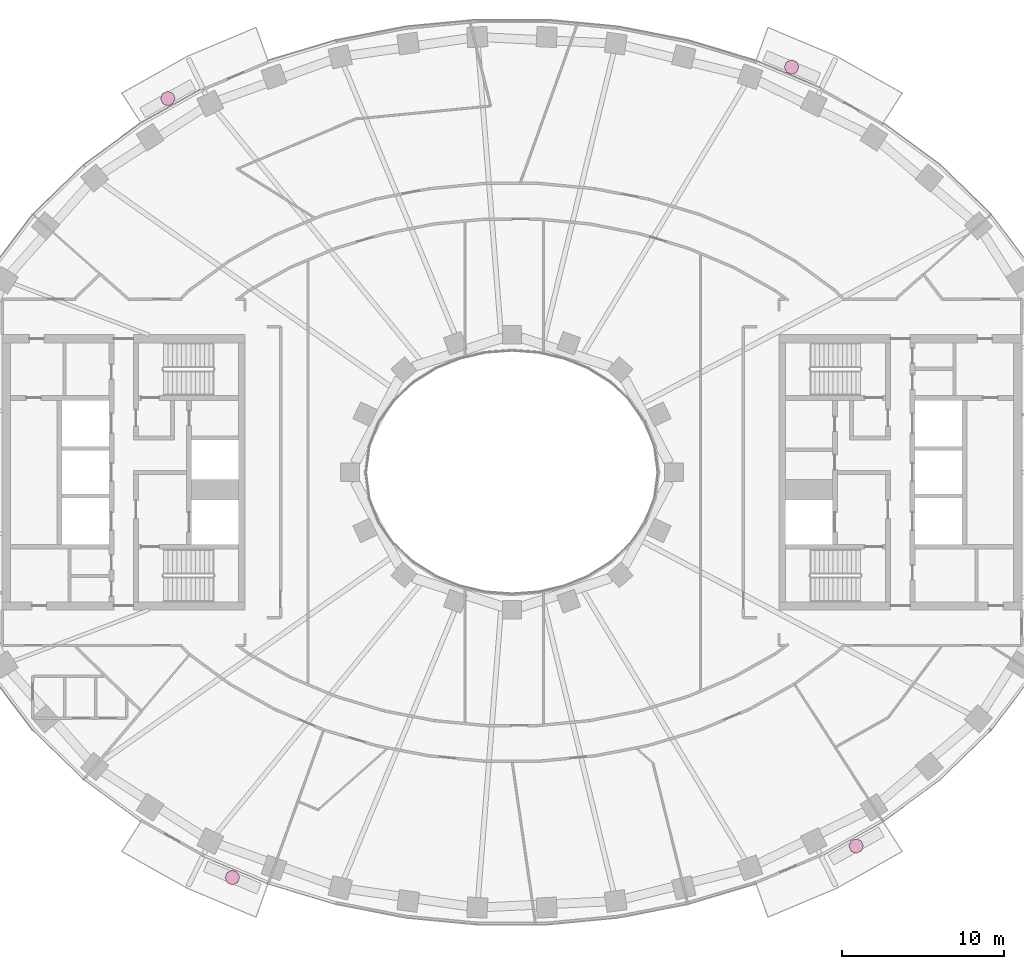
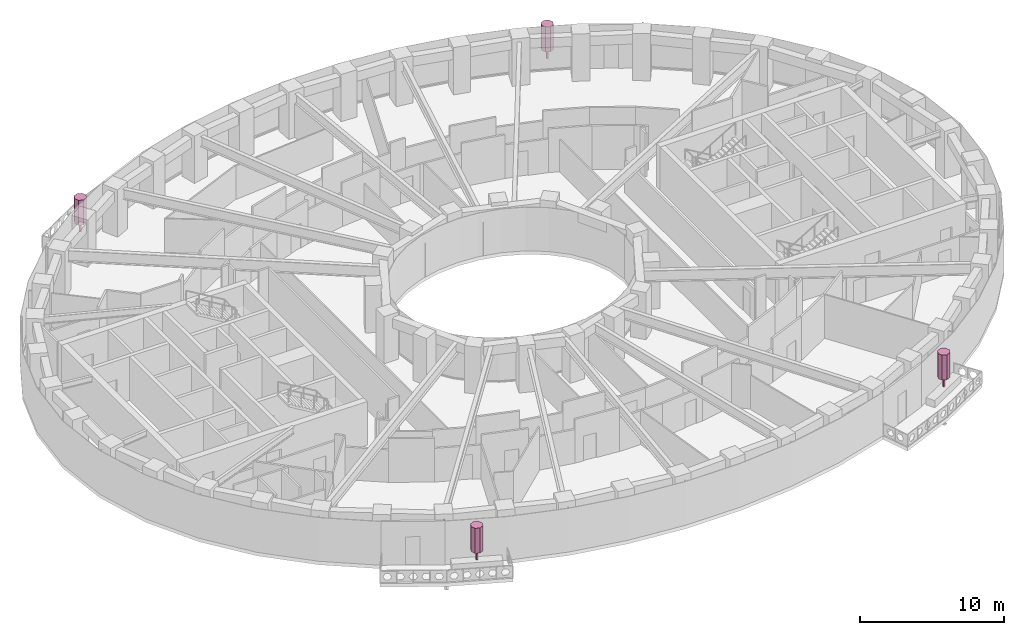
# One storey, part 16 of 16: 4 furnishings.
"""IFC4 building model written with IfcOpenShell, lengths in metres."""

from ifc_helpers import new_model, si_unit, direction, frame, origin, origin_2d, place, context, subcontext, project, spatial, polyline, rectangle, outline, extrude, material, type_object, element, save


model = new_model("IFC4")

# Units and contexts
model_context = context("Model", 3, precision=1e-05, world=origin(), true_north=direction((0.0, 1.0)))
body_context = subcontext(model_context, "Body", "Model", "MODEL_VIEW")
ifc_project = project(units=[si_unit("LENGTHUNIT", "METRE"), si_unit("AREAUNIT", "SQUARE_METRE"), si_unit("VOLUMEUNIT", "CUBIC_METRE"), si_unit("PLANEANGLEUNIT", "RADIAN"), si_unit("MASSUNIT", "GRAM", prefix="KILO")], contexts=[model_context])

# Site, building, storey
site_placement = place(None, origin())
site = spatial("IfcSite", under=ifc_project, at=site_placement, CompositionType="ELEMENT")
building_placement = place(site_placement, origin())
building = spatial("IfcBuilding", under=site, at=building_placement, Name="Noorbagh Ring Tower", CompositionType="ELEMENT")
storey_placement = place(building_placement, frame((0.0, 0.0, 116.0)))
storey = spatial("IfcBuildingStorey", under=building, at=storey_placement, Name="L26", CompositionType="ELEMENT", Elevation=116.0)

# Furnishings
ifc_material = material(Name="Planting foliage green")
furnishing_element_type = type_object("IfcFurnishingElementType", Name="ENV-TREE", material=ifc_material)
for number, where, z_axis, x_axis, name in (
    (1, (17.280517578125, 25.041259765625, 0.60009765625), (0.0, 0.0, 1.0), (1.0, 0.0, 0.0), "Tree BN02"),
    (2, (-21.26513671875, 23.093017578125, 0.60009765625), (0.0, 0.0, 1.0), (1.0, 0.0, 0.0), "Tree BN05"),
    (3, (-17.280517578125, -25.041259765625, 0.60009765625), (0.0, 0.0, 1.0), (1.0, 0.0, 0.0), "Tree BS02"),
    (4, (21.26513671875, -23.093017578125, 0.60009765625), (0.0, 0.0, 1.0), (1.0, 0.0, 0.0), "Tree BS05"),
):
    element("IfcFurnishingElement", number, at=place(storey_placement, frame(where, z_axis=z_axis, x_axis=x_axis)), inside=storey, type_object=furnishing_element_type, Name=name, context=body_context, shape_type="SweptSolid", body=[
        extrude(rectangle(XDim=0.1201171875, YDim=0.1201171875, at=origin_2d()), origin(), (0.0, 0.0, 1.0), 0.825927734375),
        extrude(outline(polyline([(0.449951171875, 0.0), (0.318115234375, 0.318115234375), (0.0, 0.449951171875), (-0.318115234375, 0.318115234375), (-0.449951171875, 0.0), (-0.318115234375, -0.318115234375), (0.0, -0.449951171875), (0.318115234375, -0.318115234375), (0.449951171875, 0.0)])), frame((0.0, 0.0, 0.825927734375)), (0.0, 0.0, 1.0), 2.1240234375),
    ])

save(model, "model.ifc")
